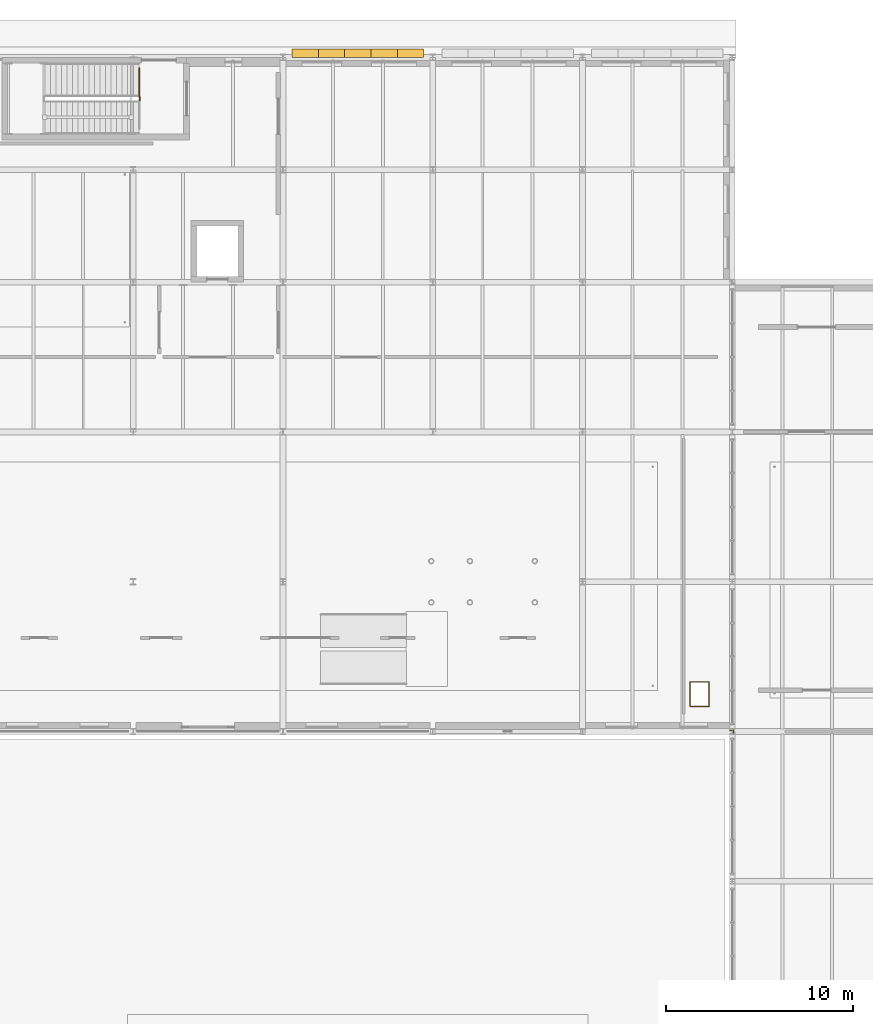
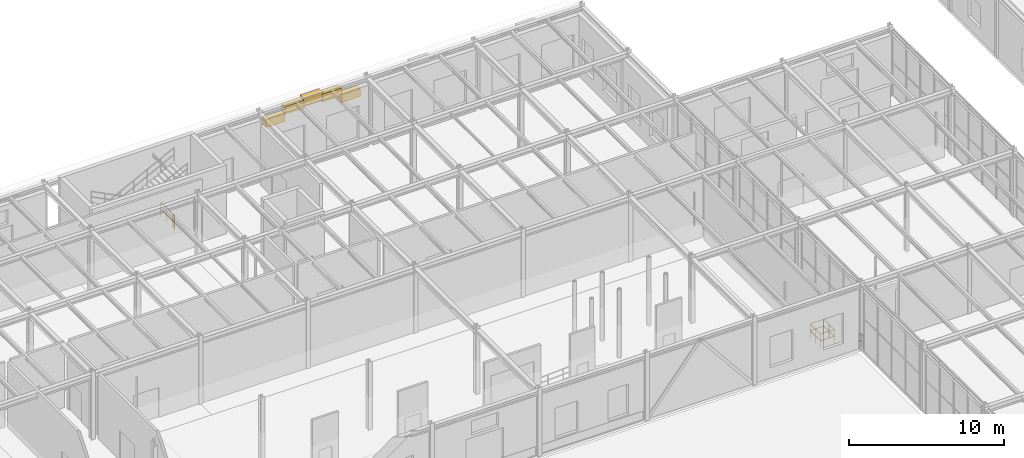
# One storey, part 120 of 129: 5 coverings, 4 railings.
"""IFC4 building model written with IfcOpenShell, lengths in metres."""

from ifc_helpers import new_model, si_unit, direction, frame, origin, origin_2d, place, context, subcontext, project, spatial, rectangle, circle, extrude, material, layer, layer_set, type_object, element, save


model = new_model("IFC4")

# Units and contexts
model_context = context("Model", 3, precision=1e-05, world=origin(), true_north=direction((0.0, 1.0)))
body_context = subcontext(model_context, "Body", "Model", "MODEL_VIEW")
ifc_project = project(units=[si_unit("LENGTHUNIT", "METRE"), si_unit("AREAUNIT", "SQUARE_METRE"), si_unit("VOLUMEUNIT", "CUBIC_METRE"), si_unit("PLANEANGLEUNIT", "RADIAN"), si_unit("MASSUNIT", "GRAM", prefix="KILO")], contexts=[model_context])

# Site, building, storey
site_placement = place(None, origin())
site = spatial("IfcSite", under=ifc_project, at=site_placement, CompositionType="ELEMENT")
building_placement = place(site_placement, origin())
building = spatial("IfcBuilding", under=site, at=building_placement, Name="Sundkrona Museum", CompositionType="ELEMENT")
storey_placement = place(building_placement, origin())
storey = spatial("IfcBuildingStorey", under=building, at=storey_placement, Name="L00", CompositionType="ELEMENT", Elevation=0.0)

# Coverings
ifc_material_1 = material(Name="Frost-Resistant Vitrified Stoneware Mosaic Cladding", Category="masonry")
ifc_layer = layer(ifc_material_1, 0.044921875)
ifc_layer_set = layer_set([ifc_layer], Name="Frost-Resistant Vitrified Stoneware Mosaic Cladding")
covering_type = type_object("IfcCoveringType", Name="COV-CLD-MOS", PredefinedType="CLADDING", material=ifc_layer_set)
for number, where, z_axis, x_axis, name in (
    (1, (57.199951171875, 114.219970703125, 3.75390625), (0.0, 0.0, 1.0), (1.0, 0.0, 0.0), "Catalan Modernisme Parabolic Arch Voussoir NA-066"),
    (2, (58.60009765625, 114.219970703125, 4.305908203125), (0.0, 0.0, 1.0), (1.0, 0.0, 0.0), "Catalan Modernisme Parabolic Arch Voussoir NA-067"),
    (3, (60.0, 114.219970703125, 4.489990234375), (0.0, 0.0, 1.0), (1.0, 0.0, 0.0), "Catalan Modernisme Parabolic Arch Voussoir NA-068"),
    (4, (61.39990234375, 114.219970703125, 4.305908203125), (0.0, 0.0, 1.0), (1.0, 0.0, 0.0), "Catalan Modernisme Parabolic Arch Voussoir NA-069"),
    (5, (62.800048828125, 114.219970703125, 3.75390625), (0.0, 0.0, 1.0), (1.0, 0.0, 0.0), "Catalan Modernisme Parabolic Arch Voussoir NA-070"),
):
    element("IfcCovering", number, at=place(storey_placement, frame(where, z_axis=z_axis, x_axis=x_axis)), inside=storey, type_object=covering_type, Name=name, PredefinedType="CLADDING", context=body_context, shape_type="SweptSolid", body=[
        extrude(rectangle(XDim=1.419921875, YDim=0.4599609375, at=origin_2d()), origin(), (0.0, 0.0, 1.0), 0.6201171875),
    ])

# Railings
ifc_material_2 = material(Name="Painted Steel S355J2 and Laminated Glass Balustrade", Category="steel")
railing_type = type_object("IfcRailingType", Name="RL-GUARD-1100", PredefinedType="BALUSTRADE", material=ifc_material_2)
railing_1_placement = place(storey_placement, frame((48.35009765625, 111.89990234375, 0.0)))
element("IfcRailing", 6, at=railing_1_placement, inside=storey, type_object=railing_type, Name="L00 ST-3 stair guard 4", PredefinedType="BALUSTRADE", context=body_context, shape_type="SweptSolid", body=[
    extrude(circle(Radius=0.02392578125, at=origin_2d()), frame((0.0, 0.0, 1.076171875), z_axis=(0.0, -1.0, 0.0), x_axis=(1.0, 0.0, 0.0)), (0.0, 0.0, 1.0), 0.199951171875),
    extrude(circle(Radius=0.02392578125, at=origin_2d()), frame((0.0, 0.0, 0.550048828125), z_axis=(0.0, -1.0, 0.0), x_axis=(1.0, 0.0, 0.0)), (0.0, 0.0, 1.0), 0.199951171875),
    extrude(circle(Radius=0.02099609375, at=origin_2d()), origin(), (0.0, 0.0, 1.0), 1.052001953125),
    extrude(circle(Radius=0.02099609375, at=origin_2d()), frame((0.0, -0.199951171875, 0.0)), (0.0, 0.0, 1.0), 1.052001953125),
])
railing_2_placement = place(storey_placement, frame((48.3349609375, 111.89990234375, 0.0)))
element("IfcRailing", 7, at=railing_2_placement, inside=storey, type_object=railing_type, Name="L00 Edge Protection Balustrade 007", PredefinedType="BALUSTRADE", context=body_context, shape_type="SweptSolid", body=[
    extrude(circle(Radius=0.02392578125, at=origin_2d()), frame((0.0, 0.0, 1.09619140625), z_axis=(0.0, 1.0, 0.0), x_axis=(-1.0, 0.0, 0.0)), (0.0, 0.0, 1.0), 1.52001953125),
    extrude(circle(Radius=0.02392578125, at=origin_2d()), frame((0.0, 0.0, 0.56005859375), z_axis=(0.0, 1.0, 0.0), x_axis=(-1.0, 0.0, 0.0)), (0.0, 0.0, 1.0), 1.52001953125),
    extrude(circle(Radius=0.02099609375, at=origin_2d()), origin(), (0.0, 0.0, 1.0), 1.072021484375),
    extrude(circle(Radius=0.02099609375, at=origin_2d()), frame((0.0, 0.760009765625, 0.0)), (0.0, 0.0, 1.0), 1.072021484375),
    extrude(circle(Radius=0.02099609375, at=origin_2d()), frame((0.0, 1.52001953125, 0.0)), (0.0, 0.0, 1.0), 1.072021484375),
])
railing_3_placement = place(storey_placement, frame((77.739990234375, 79.340087890625, 0.0)))
element("IfcRailing", 8, at=railing_3_placement, inside=storey, type_object=railing_type, Name="L00 Edge Protection Balustrade 008", PredefinedType="BALUSTRADE", context=body_context, shape_type="SweptSolid", body=[
    extrude(circle(Radius=0.02392578125, at=origin_2d()), frame((0.0, 0.0, 1.09619140625), z_axis=(1.0, 0.0, 0.0), x_axis=(0.0, 1.0, 0.0)), (0.0, 0.0, 1.0), 1.02001953125),
    extrude(circle(Radius=0.02392578125, at=origin_2d()), frame((0.0, 0.0, 0.56005859375), z_axis=(1.0, 0.0, 0.0), x_axis=(0.0, 1.0, 0.0)), (0.0, 0.0, 1.0), 1.02001953125),
    extrude(circle(Radius=0.02392578125, at=origin_2d()), frame((1.02001953125, 0.0, 1.09619140625), z_axis=(0.0, 1.0, 0.0), x_axis=(-1.0, 0.0, 0.0)), (0.0, 0.0, 1.0), 1.31982421875),
    extrude(circle(Radius=0.02392578125, at=origin_2d()), frame((1.02001953125, 0.0, 0.56005859375), z_axis=(0.0, 1.0, 0.0), x_axis=(-1.0, 0.0, 0.0)), (0.0, 0.0, 1.0), 1.31982421875),
    extrude(circle(Radius=0.02392578125, at=origin_2d()), frame((1.02001953125, 1.31982421875, 1.09619140625), z_axis=(-1.0, 0.0, 0.0), x_axis=(0.0, -1.0, 0.0)), (0.0, 0.0, 1.0), 1.02001953125),
    extrude(circle(Radius=0.02392578125, at=origin_2d()), frame((1.02001953125, 1.31982421875, 0.56005859375), z_axis=(-1.0, 0.0, 0.0), x_axis=(0.0, -1.0, 0.0)), (0.0, 0.0, 1.0), 1.02001953125),
    extrude(circle(Radius=0.02392578125, at=origin_2d()), frame((0.0, 1.31982421875, 1.09619140625), z_axis=(0.0, -1.0, 0.0), x_axis=(1.0, 0.0, 0.0)), (0.0, 0.0, 1.0), 1.31982421875),
    extrude(circle(Radius=0.02392578125, at=origin_2d()), frame((0.0, 1.31982421875, 0.56005859375), z_axis=(0.0, -1.0, 0.0), x_axis=(1.0, 0.0, 0.0)), (0.0, 0.0, 1.0), 1.31982421875),
    extrude(circle(Radius=0.02099609375, at=origin_2d()), origin(), (0.0, 0.0, 1.0), 1.072021484375),
    extrude(circle(Radius=0.02099609375, at=origin_2d()), frame((1.02001953125, 0.0, 0.0)), (0.0, 0.0, 1.0), 1.072021484375),
    extrude(circle(Radius=0.02099609375, at=origin_2d()), frame((1.02001953125, 0.659912109375, 0.0)), (0.0, 0.0, 1.0), 1.072021484375),
    extrude(circle(Radius=0.02099609375, at=origin_2d()), frame((1.02001953125, 1.31982421875, 0.0)), (0.0, 0.0, 1.0), 1.072021484375),
    extrude(circle(Radius=0.02099609375, at=origin_2d()), frame((0.0, 1.31982421875, 0.0)), (0.0, 0.0, 1.0), 1.072021484375),
    extrude(circle(Radius=0.02099609375, at=origin_2d()), frame((0.0, 0.659912109375, 0.0)), (0.0, 0.0, 1.0), 1.072021484375),
])
railing_4_placement = place(storey_placement, frame((80.06005859375, 77.85009765625, 0.0)))
element("IfcRailing", 9, at=railing_4_placement, inside=storey, type_object=railing_type, Name="L00 Edge Protection Balustrade 009", PredefinedType="BALUSTRADE", context=body_context, shape_type="SweptSolid", body=[
    extrude(circle(Radius=0.02392578125, at=origin_2d()), frame((0.0, 0.0, 1.09619140625), z_axis=(0.0, 1.0, 0.0), x_axis=(-1.0, 0.0, 0.0)), (0.0, 0.0, 1.0), 0.2099609375),
    extrude(circle(Radius=0.02392578125, at=origin_2d()), frame((0.0, 0.0, 0.56005859375), z_axis=(0.0, 1.0, 0.0), x_axis=(-1.0, 0.0, 0.0)), (0.0, 0.0, 1.0), 0.2099609375),
    extrude(circle(Radius=0.02392578125, at=origin_2d()), frame((0.0, 0.2099609375, 1.09619140625), z_axis=(-1.0, 0.0, 0.0), x_axis=(0.0, -1.0, 0.0)), (0.0, 0.0, 1.0), 0.2021484375),
    extrude(circle(Radius=0.02392578125, at=origin_2d()), frame((0.0, 0.2099609375, 0.56005859375), z_axis=(-1.0, 0.0, 0.0), x_axis=(0.0, -1.0, 0.0)), (0.0, 0.0, 1.0), 0.2021484375),
    extrude(circle(Radius=0.02099609375, at=origin_2d()), origin(), (0.0, 0.0, 1.0), 1.072021484375),
    extrude(circle(Radius=0.02099609375, at=origin_2d()), frame((0.0, 0.2099609375, 0.0)), (0.0, 0.0, 1.0), 1.072021484375),
    extrude(circle(Radius=0.02099609375, at=origin_2d()), frame((-0.2021484375, 0.2099609375, 0.0)), (0.0, 0.0, 1.0), 1.072021484375),
])

save(model, "model.ifc")
